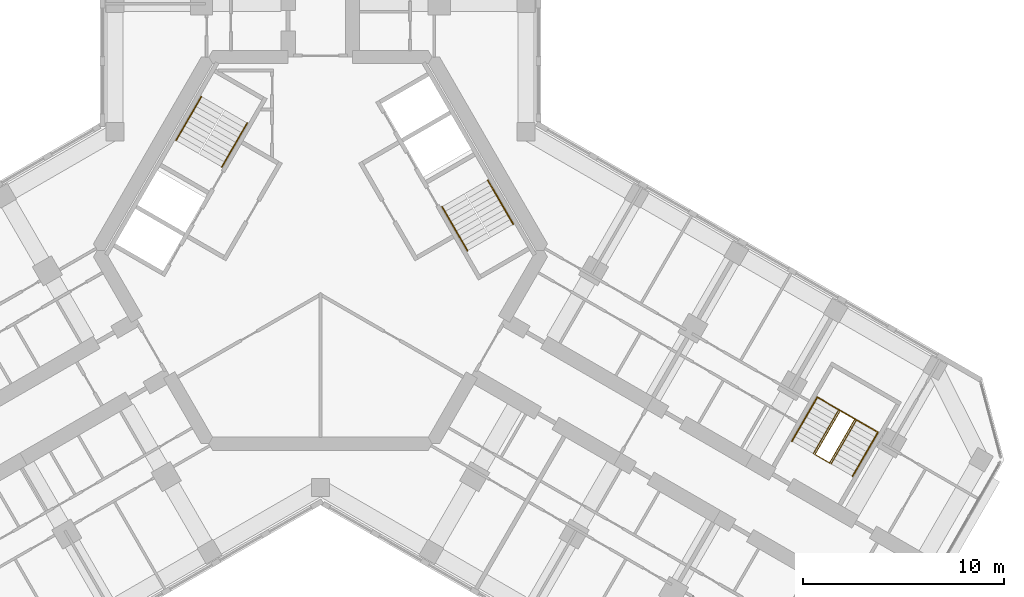
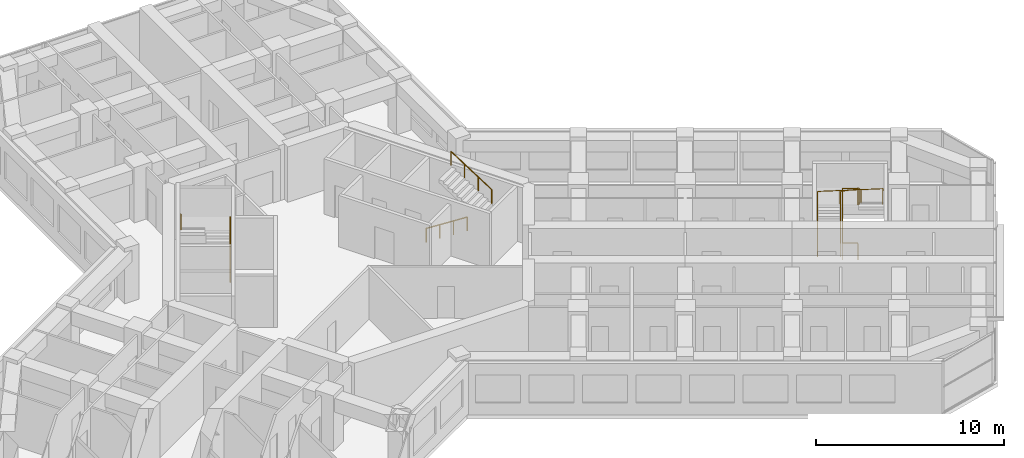
# One storey, part 16 of 16: 7 railings.
"""IFC4 building model written with IfcOpenShell, lengths in metres."""

from ifc_helpers import new_model, si_unit, direction, frame, origin, origin_2d, place, context, subcontext, project, spatial, circle, extrude, material, type_object, element, save


model = new_model("IFC4")

# Units and contexts
model_context = context("Model", 3, precision=1e-05, world=origin(), true_north=direction((0.0, 1.0)))
body_context = subcontext(model_context, "Body", "Model", "MODEL_VIEW")
ifc_project = project(units=[si_unit("LENGTHUNIT", "METRE"), si_unit("AREAUNIT", "SQUARE_METRE"), si_unit("VOLUMEUNIT", "CUBIC_METRE"), si_unit("PLANEANGLEUNIT", "RADIAN"), si_unit("MASSUNIT", "GRAM", prefix="KILO")], contexts=[model_context])

# Site, building, storey
site_placement = place(None, origin())
site = spatial("IfcSite", under=ifc_project, at=site_placement, CompositionType="ELEMENT")
building_placement = place(site_placement, origin())
building = spatial("IfcBuilding", under=site, at=building_placement, Name="Kosmar Iwan School Tower", CompositionType="ELEMENT")
storey_placement = place(building_placement, frame((0.0, 0.0, 219.0)))
storey = spatial("IfcBuildingStorey", under=building, at=storey_placement, Name="L55", CompositionType="ELEMENT", Elevation=219.0)

# Railings
ifc_material_1 = material(Name="Black steel", Category="steel")
railing_type_1 = type_object("IfcRailingType", Name="Stair handrail 900", PredefinedType="HANDRAIL", material=ifc_material_1)
railing_1_placement = place(storey_placement, frame((-4.89453125, 4.142333984375, 0.179931640625)))
element("IfcRailing", 1, at=railing_1_placement, inside=storey, type_object=railing_type_1, Name="Handrail ST2 flight 1", PredefinedType="HANDRAIL", context=body_context, shape_type="SweptSolid", body=[
    extrude(circle(Radius=0.02392578125, at=origin_2d()), frame((0.0, 0.0, 0.8759765625), z_axis=(0.420584145978, 0.728463801763, 0.540785970299), x_axis=(-0.866022637375, 0.500004791531, 0.0)), (0.0, 0.0, 1.0), 2.995849609375),
    extrude(circle(Radius=0.02099609375, at=origin_2d()), origin(), (0.0, 0.0, 1.0), 0.851806640625),
    extrude(circle(Radius=0.02099609375, at=origin_2d()), frame((0.419921875, 0.7275390625, 0.5400390625)), (0.0, 0.0, 1.0), 0.851806640625),
    extrude(circle(Radius=0.02099609375, at=origin_2d()), frame((0.840087890625, 1.454833984375, 1.080078125)), (0.0, 0.0, 1.0), 0.851806640625),
    extrude(circle(Radius=0.02099609375, at=origin_2d()), frame((1.260009765625, 2.182373046875, 1.6201171875)), (0.0, 0.0, 1.0), 0.851806640625),
])
railing_2_placement = place(storey_placement, frame((-5.912353515625, 7.6396484375, 1.97998046875)))
element("IfcRailing", 2, at=railing_2_placement, inside=storey, type_object=railing_type_1, Name="Handrail ST2 flight 2", PredefinedType="HANDRAIL", context=body_context, shape_type="SweptSolid", body=[
    extrude(circle(Radius=0.02392578125, at=origin_2d()), frame((0.0, 0.0, 0.8759765625), z_axis=(-0.420584145978, -0.728463801763, 0.540785970299), x_axis=(0.866022637375, -0.500004791531, 0.0)), (0.0, 0.0, 1.0), 2.995849609375),
    extrude(circle(Radius=0.02099609375, at=origin_2d()), origin(), (0.0, 0.0, 1.0), 0.851806640625),
    extrude(circle(Radius=0.02099609375, at=origin_2d()), frame((-0.419921875, -0.7275390625, 0.5400390625)), (0.0, 0.0, 1.0), 0.851806640625),
    extrude(circle(Radius=0.02099609375, at=origin_2d()), frame((-0.840087890625, -1.454833984375, 1.080078125)), (0.0, 0.0, 1.0), 0.851806640625),
    extrude(circle(Radius=0.02099609375, at=origin_2d()), frame((-1.260009765625, -2.182373046875, 1.6201171875)), (0.0, 0.0, 1.0), 0.851806640625),
])
railing_3_placement = place(storey_placement, frame((6.03466796875, 2.167724609375, 0.179931640625)))
element("IfcRailing", 3, at=railing_3_placement, inside=storey, type_object=railing_type_1, Name="Handrail ST1 flight 1", PredefinedType="HANDRAIL", context=body_context, shape_type="SweptSolid", body=[
    extrude(circle(Radius=0.02392578125, at=origin_2d()), frame((0.0, 0.0, 0.8759765625), z_axis=(0.420584145978, -0.728463801763, 0.540785970299), x_axis=(0.866022637375, 0.500004791531, 0.0)), (0.0, 0.0, 1.0), 2.995849609375),
    extrude(circle(Radius=0.02099609375, at=origin_2d()), origin(), (0.0, 0.0, 1.0), 0.851806640625),
    extrude(circle(Radius=0.02099609375, at=origin_2d()), frame((0.419921875, -0.7275390625, 0.5400390625)), (0.0, 0.0, 1.0), 0.851806640625),
    extrude(circle(Radius=0.02099609375, at=origin_2d()), frame((0.840087890625, -1.454833984375, 1.080078125)), (0.0, 0.0, 1.0), 0.851806640625),
    extrude(circle(Radius=0.02099609375, at=origin_2d()), frame((1.260009765625, -2.182373046875, 1.6201171875)), (0.0, 0.0, 1.0), 0.851806640625),
])
railing_4_placement = place(storey_placement, frame((9.572265625, 1.30029296875, 1.97998046875)))
element("IfcRailing", 4, at=railing_4_placement, inside=storey, type_object=railing_type_1, Name="Handrail ST1 flight 2", PredefinedType="HANDRAIL", context=body_context, shape_type="SweptSolid", body=[
    extrude(circle(Radius=0.02392578125, at=origin_2d()), frame((0.0, 0.0, 0.8759765625), z_axis=(-0.420584145978, 0.728463801763, 0.540785970299), x_axis=(-0.866022637375, -0.500004791531, 0.0)), (0.0, 0.0, 1.0), 2.995849609375),
    extrude(circle(Radius=0.02099609375, at=origin_2d()), origin(), (0.0, 0.0, 1.0), 0.851806640625),
    extrude(circle(Radius=0.02099609375, at=origin_2d()), frame((-0.419921875, 0.7275390625, 0.5400390625)), (0.0, 0.0, 1.0), 0.851806640625),
    extrude(circle(Radius=0.02099609375, at=origin_2d()), frame((-0.840087890625, 1.454833984375, 1.080078125)), (0.0, 0.0, 1.0), 0.851806640625),
    extrude(circle(Radius=0.02099609375, at=origin_2d()), frame((-1.260009765625, 2.182373046875, 1.6201171875)), (0.0, 0.0, 1.0), 0.851806640625),
])
railing_5_placement = place(storey_placement, frame((23.4091796875, -9.473876953125, 0.179931640625)))
element("IfcRailing", 5, at=railing_5_placement, inside=storey, type_object=railing_type_1, Name="Handrail stair WS3 L55 wall side", PredefinedType="HANDRAIL", context=body_context, shape_type="SweptSolid", body=[
    extrude(circle(Radius=0.02392578125, at=origin_2d()), frame((0.0, 0.0, 0.8759765625), z_axis=(0.420584145978, 0.728463801763, 0.540785970299), x_axis=(-0.866022637375, 0.500004791531, 0.0)), (0.0, 0.0, 1.0), 2.995849609375),
    extrude(circle(Radius=0.02392578125, at=origin_2d()), frame((1.260009765625, 2.182373046875, 2.49609375), z_axis=(0.864882007433, -0.499312601618, 0.051633701051), x_axis=(0.499979528911, 0.866037222451, 0.0)), (0.0, 0.0, 1.0), 3.48486328125),
    extrude(circle(Radius=0.02392578125, at=origin_2d()), frame((4.27392578125, 0.4423828125, 2.67578125), z_axis=(-0.420584145978, -0.728463801763, 0.540785970299), x_axis=(0.866022637375, -0.500004791531, 0.0)), (0.0, 0.0, 1.0), 2.995849609375),
    extrude(circle(Radius=0.02099609375, at=origin_2d()), origin(), (0.0, 0.0, 1.0), 0.851806640625),
    extrude(circle(Radius=0.02099609375, at=origin_2d()), frame((0.419921875, 0.7275390625, 0.5400390625)), (0.0, 0.0, 1.0), 0.851806640625),
    extrude(circle(Radius=0.02099609375, at=origin_2d()), frame((0.840087890625, 1.454833984375, 1.080078125)), (0.0, 0.0, 1.0), 0.851806640625),
    extrude(circle(Radius=0.02099609375, at=origin_2d()), frame((1.260009765625, 2.182373046875, 1.6201171875)), (0.0, 0.0, 1.0), 0.851806640625),
    extrude(circle(Radius=0.02099609375, at=origin_2d()), frame((2.2646484375, 1.602294921875, 1.68017578125)), (0.0, 0.0, 1.0), 0.851806640625),
    extrude(circle(Radius=0.02099609375, at=origin_2d()), frame((3.269287109375, 1.0224609375, 1.739990234375)), (0.0, 0.0, 1.0), 0.851806640625),
    extrude(circle(Radius=0.02099609375, at=origin_2d()), frame((4.27392578125, 0.4423828125, 1.800048828125)), (0.0, 0.0, 1.0), 0.851806640625),
    extrude(circle(Radius=0.02099609375, at=origin_2d()), frame((3.85400390625, -0.28515625, 2.340087890625)), (0.0, 0.0, 1.0), 0.851806640625),
    extrude(circle(Radius=0.02099609375, at=origin_2d()), frame((3.433837890625, -1.012451171875, 2.880126953125)), (0.0, 0.0, 1.0), 0.851806640625),
    extrude(circle(Radius=0.02099609375, at=origin_2d()), frame((3.013916015625, -1.739990234375, 3.420166015625)), (0.0, 0.0, 1.0), 0.851806640625),
])
railing_6_placement = place(storey_placement, frame((24.474609375, -10.0888671875, 0.179931640625)))
element("IfcRailing", 6, at=railing_6_placement, inside=storey, type_object=railing_type_1, Name="Handrail stair WS3 L55 well side", PredefinedType="HANDRAIL", context=body_context, shape_type="SweptSolid", body=[
    extrude(circle(Radius=0.02392578125, at=origin_2d()), frame((0.0, 0.0, 0.8759765625), z_axis=(0.420584145978, 0.728463801763, 0.540785970299), x_axis=(-0.866022637375, 0.500004791531, 0.0)), (0.0, 0.0, 1.0), 2.995849609375),
    extrude(circle(Radius=0.02392578125, at=origin_2d()), frame((1.260009765625, 2.182373046875, 2.49609375), z_axis=(0.852841519511, -0.492422867401, 0.173726976197), x_axis=(0.500026340207, 0.866010195725, 0.0)), (0.0, 0.0, 1.0), 1.03564453125),
    extrude(circle(Radius=0.02392578125, at=origin_2d()), frame((2.143310546875, 1.67236328125, 2.67578125), z_axis=(-0.420584145978, -0.728463801763, 0.540785970299), x_axis=(0.866022637375, -0.500004791531, 0.0)), (0.0, 0.0, 1.0), 2.995849609375),
    extrude(circle(Radius=0.02099609375, at=origin_2d()), origin(), (0.0, 0.0, 1.0), 0.851806640625),
    extrude(circle(Radius=0.02099609375, at=origin_2d()), frame((0.419921875, 0.7275390625, 0.5400390625)), (0.0, 0.0, 1.0), 0.851806640625),
    extrude(circle(Radius=0.02099609375, at=origin_2d()), frame((0.840087890625, 1.454833984375, 1.080078125)), (0.0, 0.0, 1.0), 0.851806640625),
    extrude(circle(Radius=0.02099609375, at=origin_2d()), frame((1.260009765625, 2.182373046875, 1.6201171875)), (0.0, 0.0, 1.0), 0.851806640625),
    extrude(circle(Radius=0.02099609375, at=origin_2d()), frame((2.143310546875, 1.67236328125, 1.800048828125)), (0.0, 0.0, 1.0), 0.851806640625),
    extrude(circle(Radius=0.02099609375, at=origin_2d()), frame((1.723388671875, 0.94482421875, 2.340087890625)), (0.0, 0.0, 1.0), 0.851806640625),
    extrude(circle(Radius=0.02099609375, at=origin_2d()), frame((1.30322265625, 0.217529296875, 2.880126953125)), (0.0, 0.0, 1.0), 0.851806640625),
    extrude(circle(Radius=0.02099609375, at=origin_2d()), frame((0.88330078125, -0.510009765625, 3.420166015625)), (0.0, 0.0, 1.0), 0.851806640625),
])
ifc_material_2 = material(Name="Black steel", Category="steel")
railing_type_2 = type_object("IfcRailingType", Name="Stair well guard 1100", PredefinedType="GUARDRAIL", material=ifc_material_2)
railing_7_placement = place(storey_placement, frame((25.280029296875, -10.553955078125, 0.0)))
element("IfcRailing", 7, at=railing_7_placement, inside=storey, type_object=railing_type_2, Name="Stair WS3 L55 well guard", PredefinedType="GUARDRAIL", context=body_context, shape_type="SweptSolid", body=[
    extrude(circle(Radius=0.02392578125, at=origin_2d()), frame((0.0, 0.0, 1.076171875), z_axis=(-0.865962960534, 0.500108139288, 0.0), x_axis=(-0.500108139288, -0.865962960534, 0.0)), (0.0, 0.0, 1.0), 0.840087890625),
    extrude(circle(Radius=0.02392578125, at=origin_2d()), frame((-0.7275390625, 0.420166015625, 1.076171875), z_axis=(0.40686665399, 0.704704712268, 0.58124933925), x_axis=(-0.866022637375, 0.500004791531, 0.0)), (0.0, 0.0, 1.0), 3.096923828125),
    extrude(circle(Radius=0.02392578125, at=origin_2d()), frame((0.532470703125, 2.6025390625, 2.8759765625), z_axis=(0.865890253765, -0.500234013672, 0.0), x_axis=(0.500234013672, 0.865890253765, 0.0)), (0.0, 0.0, 1.0), 0.83984375),
    extrude(circle(Radius=0.02392578125, at=origin_2d()), frame((1.259765625, 2.182373046875, 2.8759765625), z_axis=(-0.406800866334, -0.70472731476, 0.58126798207), x_axis=(0.866064587494, -0.499932125682, 0.0)), (0.0, 0.0, 1.0), 3.0966796875),
    extrude(circle(Radius=0.02099609375, at=origin_2d()), origin(), (0.0, 0.0, 1.0), 1.052001953125),
    extrude(circle(Radius=0.02099609375, at=origin_2d()), frame((-0.7275390625, 0.420166015625, 0.0)), (0.0, 0.0, 1.0), 1.052001953125),
    extrude(circle(Radius=0.02099609375, at=origin_2d()), frame((-0.3076171875, 1.147705078125, 0.60009765625)), (0.0, 0.0, 1.0), 1.052001953125),
    extrude(circle(Radius=0.02099609375, at=origin_2d()), frame((0.112548828125, 1.875, 1.199951171875)), (0.0, 0.0, 1.0), 1.052001953125),
    extrude(circle(Radius=0.02099609375, at=origin_2d()), frame((0.532470703125, 2.6025390625, 1.800048828125)), (0.0, 0.0, 1.0), 1.052001953125),
    extrude(circle(Radius=0.02099609375, at=origin_2d()), frame((1.259765625, 2.182373046875, 1.800048828125)), (0.0, 0.0, 1.0), 1.052001953125),
    extrude(circle(Radius=0.02099609375, at=origin_2d()), frame((0.83984375, 1.454833984375, 2.400146484375)), (0.0, 0.0, 1.0), 1.052001953125),
    extrude(circle(Radius=0.02099609375, at=origin_2d()), frame((0.419921875, 0.7275390625, 3.0)), (0.0, 0.0, 1.0), 1.052001953125),
    extrude(circle(Radius=0.02099609375, at=origin_2d()), frame((0.0, 0.0, 3.60009765625)), (0.0, 0.0, 1.0), 1.052001953125),
])

save(model, "model.ifc")
